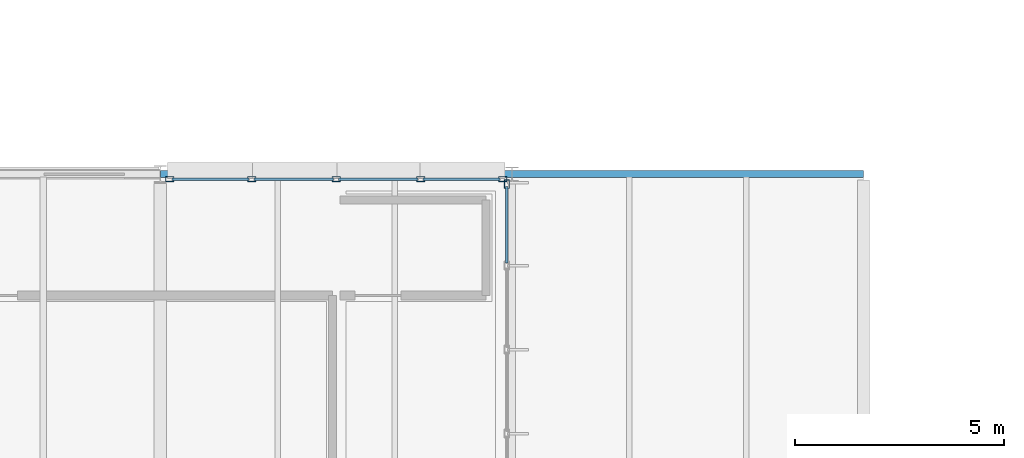
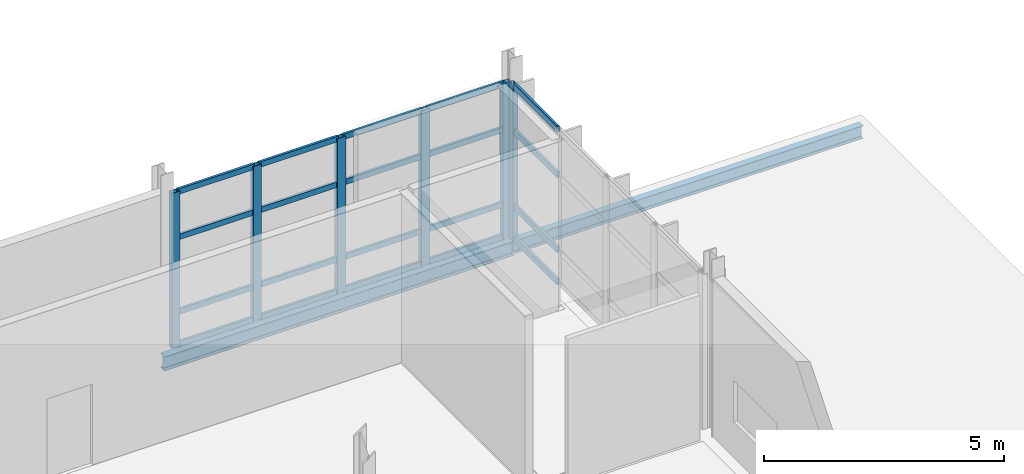
# One storey, part 63 of 129: 26 members, 2 beams, 2 elements without a shape of their own.
"""IFC4 building model written with IfcOpenShell, lengths in metres."""

from ifc_helpers import new_model, si_unit, direction, frame, origin, origin_2d, place, context, subcontext, project, spatial, hollow_rectangle, i_section, extrude, material, material_profile, profile_set, type_object, element, aggregate, save


model = new_model("IFC4")

# Units and contexts
model_context = context("Model", 3, precision=1e-05, world=origin(), true_north=direction((0.0, 1.0)))
body_context = subcontext(model_context, "Body", "Model", "MODEL_VIEW")
ifc_project = project(units=[si_unit("LENGTHUNIT", "METRE"), si_unit("AREAUNIT", "SQUARE_METRE"), si_unit("VOLUMEUNIT", "CUBIC_METRE"), si_unit("PLANEANGLEUNIT", "RADIAN"), si_unit("MASSUNIT", "GRAM", prefix="KILO")], contexts=[model_context])

# Site, building, storey
site_placement = place(None, origin())
site = spatial("IfcSite", under=ifc_project, at=site_placement, CompositionType="ELEMENT")
building_placement = place(site_placement, origin())
building = spatial("IfcBuilding", under=site, at=building_placement, Name="Mersafa Astral City Hall", CompositionType="ELEMENT")
storey_placement = place(building_placement, frame((0.0, 0.0, 5.39990234375)))
storey = spatial("IfcBuildingStorey", under=building, at=storey_placement, Name="L01", CompositionType="ELEMENT", Elevation=5.39990234375)

# Curtain wall, member
ifc_material_1 = material(Name="Anodised bronze aluminium framing", Category="aluminium")
curtain_wall_type_1 = type_object("IfcCurtainWallType", Name="ENV-CW-3", PredefinedType="USERDEFINED", material=ifc_material_1)
curtain_wall_1_placement = place(storey_placement, origin())
curtain_wall_1 = element("IfcCurtainWall", 1, at=curtain_wall_1_placement, inside=storey, type_object=curtain_wall_type_1, Name="L01 Unitised solar curtain wall 50", ObjectType="UNITISED CURTAIN WALL", PredefinedType="USERDEFINED")
ifc_material_profile_1 = material_profile(ifc_material_1, hollow_rectangle(XDim=0.1201171875, YDim=0.199951171875, WallThickness=0.008056640625, at=origin_2d()), Name="RHS 120x200x8")
ifc_profile_set_1 = profile_set([ifc_material_profile_1], Name="Anodised bronze aluminium framing")
member_type_1 = type_object("IfcMemberType", Name="ENV-CW-MUL-2", PredefinedType="MULLION", material=ifc_profile_set_1)
member_1_placement = place(storey_placement, frame((142.679931640625, 33.35791015625, -0.001953125), z_axis=(0.0, 0.0, 1.0), x_axis=(-1.0, 0.0, 0.0)))
member_1 = element("IfcMember", 2, at=member_1_placement, type_object=member_type_1, Name="CW-3 mullion 5", PredefinedType="MULLION", context=body_context, shape_type="SweptSolid", body=[
    extrude(hollow_rectangle(XDim=0.1201171875, YDim=0.199951171875, WallThickness=0.008056640625, at=origin_2d()), origin(), (0.0, 0.0, 1.0), 3.93896484375),
])

# Curtain wall, members
curtain_wall_type_2 = type_object("IfcCurtainWallType", Name="ENV-CW-4", PredefinedType="USERDEFINED", material=ifc_material_1)
curtain_wall_2_placement = place(storey_placement, origin())
curtain_wall_2 = element("IfcCurtainWall", 3, at=curtain_wall_2_placement, inside=storey, type_object=curtain_wall_type_2, Name="L01 Unitised solar curtain wall 51", ObjectType="UNITISED CURTAIN WALL", PredefinedType="USERDEFINED")
member_2_placement = place(storey_placement, frame((142.577880859375, 33.47998046875, -0.001953125), z_axis=(0.0, 0.0, 1.0), x_axis=(0.0, -1.0, 0.0)))
member_2 = element("IfcMember", 4, at=member_2_placement, type_object=member_type_1, Name="CW-4 mullion 1", PredefinedType="MULLION", context=body_context, shape_type="SweptSolid", body=[
    extrude(hollow_rectangle(XDim=0.1201171875, YDim=0.199951171875, WallThickness=0.008056640625, at=origin_2d()), origin(), (0.0, 0.0, 1.0), 3.93896484375),
])
member_3_placement = place(storey_placement, frame((140.618896484375, 33.47998046875, -0.001953125), z_axis=(0.0, 0.0, 1.0), x_axis=(0.0, -1.0, 0.0)))
member_3 = element("IfcMember", 5, at=member_3_placement, type_object=member_type_1, Name="CW-4 mullion 2", PredefinedType="MULLION", context=body_context, shape_type="SweptSolid", body=[
    extrude(hollow_rectangle(XDim=0.1201171875, YDim=0.199951171875, WallThickness=0.008056640625, at=origin_2d()), origin(), (0.0, 0.0, 1.0), 3.93896484375),
])
member_4_placement = place(storey_placement, frame((138.60009765625, 33.47998046875, -0.001953125), z_axis=(0.0, 0.0, 1.0), x_axis=(0.0, -1.0, 0.0)))
member_4 = element("IfcMember", 6, at=member_4_placement, type_object=member_type_1, Name="CW-4 mullion 3", PredefinedType="MULLION", context=body_context, shape_type="SweptSolid", body=[
    extrude(hollow_rectangle(XDim=0.1201171875, YDim=0.199951171875, WallThickness=0.008056640625, at=origin_2d()), origin(), (0.0, 0.0, 1.0), 3.93896484375),
])
member_5_placement = place(storey_placement, frame((136.5810546875, 33.47998046875, -0.001953125), z_axis=(0.0, 0.0, 1.0), x_axis=(0.0, -1.0, 0.0)))
member_5 = element("IfcMember", 7, at=member_5_placement, type_object=member_type_1, Name="CW-4 mullion 4", PredefinedType="MULLION", context=body_context, shape_type="SweptSolid", body=[
    extrude(hollow_rectangle(XDim=0.1201171875, YDim=0.199951171875, WallThickness=0.008056640625, at=origin_2d()), origin(), (0.0, 0.0, 1.0), 3.93896484375),
])
member_6_placement = place(storey_placement, frame((134.6220703125, 33.47998046875, -0.001953125), z_axis=(0.0, 0.0, 1.0), x_axis=(0.0, -1.0, 0.0)))
member_6 = element("IfcMember", 8, at=member_6_placement, type_object=member_type_1, Name="CW-4 mullion 5", PredefinedType="MULLION", context=body_context, shape_type="SweptSolid", body=[
    extrude(hollow_rectangle(XDim=0.1201171875, YDim=0.199951171875, WallThickness=0.008056640625, at=origin_2d()), origin(), (0.0, 0.0, 1.0), 3.93896484375),
])
ifc_material_profile_2 = material_profile(ifc_material_1, hollow_rectangle(XDim=0.06005859375, YDim=0.139892578125, WallThickness=0.00390625, at=origin_2d()), Name="RHS 60x140x4")
ifc_profile_set_2 = profile_set([ifc_material_profile_2], Name="Anodised bronze aluminium framing")
member_type_2 = type_object("IfcMemberType", Name="ENV-CW-TRN-1", PredefinedType="USERDEFINED", material=ifc_profile_set_2)
member_7_placement = place(storey_placement, frame((142.51806640625, 33.47998046875, 0.028076171875), z_axis=(-1.0, 0.0, 0.0), x_axis=(0.0, -1.0, 0.0)))
member_7 = element("IfcMember", 9, at=member_7_placement, type_object=member_type_2, Name="CW-4 transom 1.1", ObjectType="TRANSOM", PredefinedType="USERDEFINED", context=body_context, shape_type="SweptSolid", body=[
    extrude(hollow_rectangle(XDim=0.06005859375, YDim=0.139892578125, WallThickness=0.00390625, at=origin_2d()), origin(), (0.0, 0.0, 1.0), 1.839111328125),
])
member_8_placement = place(storey_placement, frame((142.51806640625, 33.47998046875, 0.85009765625), z_axis=(-1.0, 0.0, 0.0), x_axis=(0.0, -1.0, 0.0)))
member_8 = element("IfcMember", 10, at=member_8_placement, type_object=member_type_2, Name="CW-4 transom 1.2", ObjectType="TRANSOM", PredefinedType="USERDEFINED", context=body_context, shape_type="SweptSolid", body=[
    extrude(hollow_rectangle(XDim=0.06005859375, YDim=0.139892578125, WallThickness=0.00390625, at=origin_2d()), origin(), (0.0, 0.0, 1.0), 1.839111328125),
])
member_9_placement = place(storey_placement, frame((142.51806640625, 33.47998046875, 2.75), z_axis=(-1.0, 0.0, 0.0), x_axis=(0.0, -1.0, 0.0)))
member_9 = element("IfcMember", 11, at=member_9_placement, type_object=member_type_2, Name="CW-4 transom 1.3", ObjectType="TRANSOM", PredefinedType="USERDEFINED", context=body_context, shape_type="SweptSolid", body=[
    extrude(hollow_rectangle(XDim=0.06005859375, YDim=0.139892578125, WallThickness=0.00390625, at=origin_2d()), origin(), (0.0, 0.0, 1.0), 1.839111328125),
])
member_10_placement = place(storey_placement, frame((142.51806640625, 33.47998046875, 3.906982421875), z_axis=(-1.0, 0.0, 0.0), x_axis=(0.0, -1.0, 0.0)))
member_10 = element("IfcMember", 12, at=member_10_placement, type_object=member_type_2, Name="CW-4 transom 1.4", ObjectType="TRANSOM", PredefinedType="USERDEFINED", context=body_context, shape_type="SweptSolid", body=[
    extrude(hollow_rectangle(XDim=0.06005859375, YDim=0.139892578125, WallThickness=0.00390625, at=origin_2d()), origin(), (0.0, 0.0, 1.0), 1.839111328125),
])
member_11_placement = place(storey_placement, frame((140.55908203125, 33.47998046875, 0.028076171875), z_axis=(-1.0, 0.0, 0.0), x_axis=(0.0, -1.0, 0.0)))
member_11 = element("IfcMember", 13, at=member_11_placement, type_object=member_type_2, Name="CW-4 transom 2.1", ObjectType="TRANSOM", PredefinedType="USERDEFINED", context=body_context, shape_type="SweptSolid", body=[
    extrude(hollow_rectangle(XDim=0.06005859375, YDim=0.139892578125, WallThickness=0.00390625, at=origin_2d()), origin(), (0.0, 0.0, 1.0), 1.899169921875),
])
member_12_placement = place(storey_placement, frame((140.55908203125, 33.47998046875, 0.85009765625), z_axis=(-1.0, 0.0, 0.0), x_axis=(0.0, -1.0, 0.0)))
member_12 = element("IfcMember", 14, at=member_12_placement, type_object=member_type_2, Name="CW-4 transom 2.2", ObjectType="TRANSOM", PredefinedType="USERDEFINED", context=body_context, shape_type="SweptSolid", body=[
    extrude(hollow_rectangle(XDim=0.06005859375, YDim=0.139892578125, WallThickness=0.00390625, at=origin_2d()), origin(), (0.0, 0.0, 1.0), 1.899169921875),
])
member_13_placement = place(storey_placement, frame((140.55908203125, 33.47998046875, 2.75), z_axis=(-1.0, 0.0, 0.0), x_axis=(0.0, -1.0, 0.0)))
member_13 = element("IfcMember", 15, at=member_13_placement, type_object=member_type_2, Name="CW-4 transom 2.3", ObjectType="TRANSOM", PredefinedType="USERDEFINED", context=body_context, shape_type="SweptSolid", body=[
    extrude(hollow_rectangle(XDim=0.06005859375, YDim=0.139892578125, WallThickness=0.00390625, at=origin_2d()), origin(), (0.0, 0.0, 1.0), 1.899169921875),
])
member_14_placement = place(storey_placement, frame((140.55908203125, 33.47998046875, 3.906982421875), z_axis=(-1.0, 0.0, 0.0), x_axis=(0.0, -1.0, 0.0)))
member_14 = element("IfcMember", 16, at=member_14_placement, type_object=member_type_2, Name="CW-4 transom 2.4", ObjectType="TRANSOM", PredefinedType="USERDEFINED", context=body_context, shape_type="SweptSolid", body=[
    extrude(hollow_rectangle(XDim=0.06005859375, YDim=0.139892578125, WallThickness=0.00390625, at=origin_2d()), origin(), (0.0, 0.0, 1.0), 1.899169921875),
])
member_15_placement = place(storey_placement, frame((138.5400390625, 33.47998046875, 0.028076171875), z_axis=(-1.0, 0.0, 0.0), x_axis=(0.0, -1.0, 0.0)))
member_15 = element("IfcMember", 17, at=member_15_placement, type_object=member_type_2, Name="CW-4 transom 3.1", ObjectType="TRANSOM", PredefinedType="USERDEFINED", context=body_context, shape_type="SweptSolid", body=[
    extrude(hollow_rectangle(XDim=0.06005859375, YDim=0.139892578125, WallThickness=0.00390625, at=origin_2d()), origin(), (0.0, 0.0, 1.0), 1.89892578125),
])
member_16_placement = place(storey_placement, frame((138.5400390625, 33.47998046875, 0.85009765625), z_axis=(-1.0, 0.0, 0.0), x_axis=(0.0, -1.0, 0.0)))
member_16 = element("IfcMember", 18, at=member_16_placement, type_object=member_type_2, Name="CW-4 transom 3.2", ObjectType="TRANSOM", PredefinedType="USERDEFINED", context=body_context, shape_type="SweptSolid", body=[
    extrude(hollow_rectangle(XDim=0.06005859375, YDim=0.139892578125, WallThickness=0.00390625, at=origin_2d()), origin(), (0.0, 0.0, 1.0), 1.89892578125),
])
member_17_placement = place(storey_placement, frame((138.5400390625, 33.47998046875, 2.75), z_axis=(-1.0, 0.0, 0.0), x_axis=(0.0, -1.0, 0.0)))
member_17 = element("IfcMember", 19, at=member_17_placement, type_object=member_type_2, Name="CW-4 transom 3.3", ObjectType="TRANSOM", PredefinedType="USERDEFINED", context=body_context, shape_type="SweptSolid", body=[
    extrude(hollow_rectangle(XDim=0.06005859375, YDim=0.139892578125, WallThickness=0.00390625, at=origin_2d()), origin(), (0.0, 0.0, 1.0), 1.89892578125),
])
member_18_placement = place(storey_placement, frame((138.5400390625, 33.47998046875, 3.906982421875), z_axis=(-1.0, 0.0, 0.0), x_axis=(0.0, -1.0, 0.0)))
member_18 = element("IfcMember", 20, at=member_18_placement, type_object=member_type_2, Name="CW-4 transom 3.4", ObjectType="TRANSOM", PredefinedType="USERDEFINED", context=body_context, shape_type="SweptSolid", body=[
    extrude(hollow_rectangle(XDim=0.06005859375, YDim=0.139892578125, WallThickness=0.00390625, at=origin_2d()), origin(), (0.0, 0.0, 1.0), 1.89892578125),
])
member_19_placement = place(storey_placement, frame((136.52099609375, 33.47998046875, 0.028076171875), z_axis=(-1.0, 0.0, 0.0), x_axis=(0.0, -1.0, 0.0)))
member_19 = element("IfcMember", 21, at=member_19_placement, type_object=member_type_2, Name="CW-4 transom 4.1", ObjectType="TRANSOM", PredefinedType="USERDEFINED", context=body_context, shape_type="SweptSolid", body=[
    extrude(hollow_rectangle(XDim=0.06005859375, YDim=0.139892578125, WallThickness=0.00390625, at=origin_2d()), origin(), (0.0, 0.0, 1.0), 1.839111328125),
])
member_20_placement = place(storey_placement, frame((136.52099609375, 33.47998046875, 0.85009765625), z_axis=(-1.0, 0.0, 0.0), x_axis=(0.0, -1.0, 0.0)))
member_20 = element("IfcMember", 22, at=member_20_placement, type_object=member_type_2, Name="CW-4 transom 4.2", ObjectType="TRANSOM", PredefinedType="USERDEFINED", context=body_context, shape_type="SweptSolid", body=[
    extrude(hollow_rectangle(XDim=0.06005859375, YDim=0.139892578125, WallThickness=0.00390625, at=origin_2d()), origin(), (0.0, 0.0, 1.0), 1.839111328125),
])
member_21_placement = place(storey_placement, frame((136.52099609375, 33.47998046875, 2.75), z_axis=(-1.0, 0.0, 0.0), x_axis=(0.0, -1.0, 0.0)))
member_21 = element("IfcMember", 23, at=member_21_placement, type_object=member_type_2, Name="CW-4 transom 4.3", ObjectType="TRANSOM", PredefinedType="USERDEFINED", context=body_context, shape_type="SweptSolid", body=[
    extrude(hollow_rectangle(XDim=0.06005859375, YDim=0.139892578125, WallThickness=0.00390625, at=origin_2d()), origin(), (0.0, 0.0, 1.0), 1.839111328125),
])
member_22_placement = place(storey_placement, frame((136.52099609375, 33.47998046875, 3.906982421875), z_axis=(-1.0, 0.0, 0.0), x_axis=(0.0, -1.0, 0.0)))
member_22 = element("IfcMember", 24, at=member_22_placement, type_object=member_type_2, Name="CW-4 transom 4.4", ObjectType="TRANSOM", PredefinedType="USERDEFINED", context=body_context, shape_type="SweptSolid", body=[
    extrude(hollow_rectangle(XDim=0.06005859375, YDim=0.139892578125, WallThickness=0.00390625, at=origin_2d()), origin(), (0.0, 0.0, 1.0), 1.839111328125),
])
aggregate(curtain_wall_2, [member_2, member_3, member_4, member_5, member_6, member_7, member_8, member_9, member_10, member_11, member_12, member_13, member_14, member_15, member_16, member_17, member_18, member_19, member_20, member_21, member_22])

# Member
ifc_material_profile_3 = material_profile(ifc_material_1, hollow_rectangle(XDim=0.06005859375, YDim=0.159912109375, WallThickness=0.00390625, at=origin_2d()), Name="RHS 60x160x4")
ifc_profile_set_3 = profile_set([ifc_material_profile_3], Name="Anodised bronze aluminium framing")
member_type_3 = type_object("IfcMemberType", Name="ENV-CW-TRN-2", PredefinedType="USERDEFINED", material=ifc_profile_set_3)
member_23_placement = place(storey_placement, frame((142.679931640625, 31.471435546875, 0.028076171875), z_axis=(0.0, 1.0, 0.0), x_axis=(-1.0, 0.0, 0.0)))
member_23 = element("IfcMember", 25, at=member_23_placement, type_object=member_type_3, Name="CW-3 transom 4.1", ObjectType="TRANSOM", PredefinedType="USERDEFINED", context=body_context, shape_type="SweptSolid", body=[
    extrude(hollow_rectangle(XDim=0.06005859375, YDim=0.159912109375, WallThickness=0.00390625, at=origin_2d()), origin(), (0.0, 0.0, 1.0), 1.82666015625),
])

member_24_placement = place(storey_placement, frame((142.679931640625, 31.471435546875, 0.85009765625), z_axis=(0.0, 1.0, 0.0), x_axis=(-1.0, 0.0, 0.0)))
member_24 = element("IfcMember", 26, at=member_24_placement, type_object=member_type_3, Name="CW-3 transom 4.2", ObjectType="TRANSOM", PredefinedType="USERDEFINED", context=body_context, shape_type="SweptSolid", body=[
    extrude(hollow_rectangle(XDim=0.06005859375, YDim=0.159912109375, WallThickness=0.00390625, at=origin_2d()), origin(), (0.0, 0.0, 1.0), 1.82666015625),
])

member_25_placement = place(storey_placement, frame((142.679931640625, 31.471435546875, 2.75), z_axis=(0.0, 1.0, 0.0), x_axis=(-1.0, 0.0, 0.0)))
member_25 = element("IfcMember", 27, at=member_25_placement, type_object=member_type_3, Name="CW-3 transom 4.3", ObjectType="TRANSOM", PredefinedType="USERDEFINED", context=body_context, shape_type="SweptSolid", body=[
    extrude(hollow_rectangle(XDim=0.06005859375, YDim=0.159912109375, WallThickness=0.00390625, at=origin_2d()), origin(), (0.0, 0.0, 1.0), 1.82666015625),
])

member_26_placement = place(storey_placement, frame((142.679931640625, 31.471435546875, 3.906982421875), z_axis=(0.0, 1.0, 0.0), x_axis=(-1.0, 0.0, 0.0)))
member_26 = element("IfcMember", 28, at=member_26_placement, type_object=member_type_3, Name="CW-3 transom 4.4", ObjectType="TRANSOM", PredefinedType="USERDEFINED", context=body_context, shape_type="SweptSolid", body=[
    extrude(hollow_rectangle(XDim=0.06005859375, YDim=0.159912109375, WallThickness=0.00390625, at=origin_2d()), origin(), (0.0, 0.0, 1.0), 1.82666015625),
])

aggregate(curtain_wall_1, [member_1, member_23, member_24, member_25, member_26])

# Beams
ifc_material_2 = material(Name="Steel S355", Category="steel")
ifc_material_profile_4 = material_profile(ifc_material_2, i_section(OverallWidth=0.159912109375, OverallDepth=0.330078125, WebThickness=0.007568359375, FlangeThickness=0.011474609375, FilletRadius=0.01806640625, at=origin_2d()), Name="IPE 330")
ifc_profile_set_4 = profile_set([ifc_material_profile_4], Name="Steel S355")
beam_type_1 = type_object("IfcBeamType", Name="STR-BM-SPANDREL-IPE330", PredefinedType="SPANDREL", material=ifc_profile_set_4)
beam_1_placement = place(storey_placement, frame((142.802978515625, 33.60009765625, -0.389892578125), z_axis=(1.0, 0.0, 0.0), x_axis=(0.0, 1.0, 0.0)))
element("IfcBeam", 29, at=beam_1_placement, inside=storey, type_object=beam_type_1, Name="L01 Primary girder X 17-4", PredefinedType="SPANDREL", context=body_context, shape_type="SweptSolid", body=[
    extrude(i_section(OverallWidth=0.159912109375, OverallDepth=0.330078125, WebThickness=0.007568359375, FlangeThickness=0.011474609375, FilletRadius=0.01806640625, at=origin_2d()), origin(), (0.0, 0.0, 1.0), 8.39404296875),
])
ifc_material_profile_5 = material_profile(ifc_material_2, i_section(OverallWidth=0.169921875, OverallDepth=0.360107421875, WebThickness=0.008056640625, FlangeThickness=0.0126953125, FilletRadius=0.01806640625, at=origin_2d()), Name="IPE 360")
ifc_profile_set_5 = profile_set([ifc_material_profile_5], Name="Steel S355")
beam_type_2 = type_object("IfcBeamType", Name="STR-BM-SPANDREL-IPE360", PredefinedType="SPANDREL", material=ifc_profile_set_5)
beam_2_placement = place(storey_placement, frame((134.403076171875, 33.60009765625, -0.40478515625), z_axis=(1.0, 0.0, 0.0), x_axis=(0.0, 1.0, 0.0)))
element("IfcBeam", 30, at=beam_2_placement, inside=storey, type_object=beam_type_2, Name="L01 Primary girder X 16-4", PredefinedType="SPANDREL", context=body_context, shape_type="SweptSolid", body=[
    extrude(i_section(OverallWidth=0.169921875, OverallDepth=0.360107421875, WebThickness=0.008056640625, FlangeThickness=0.0126953125, FilletRadius=0.01806640625, at=origin_2d()), origin(), (0.0, 0.0, 1.0), 8.39404296875),
])

save(model, "model.ifc")
